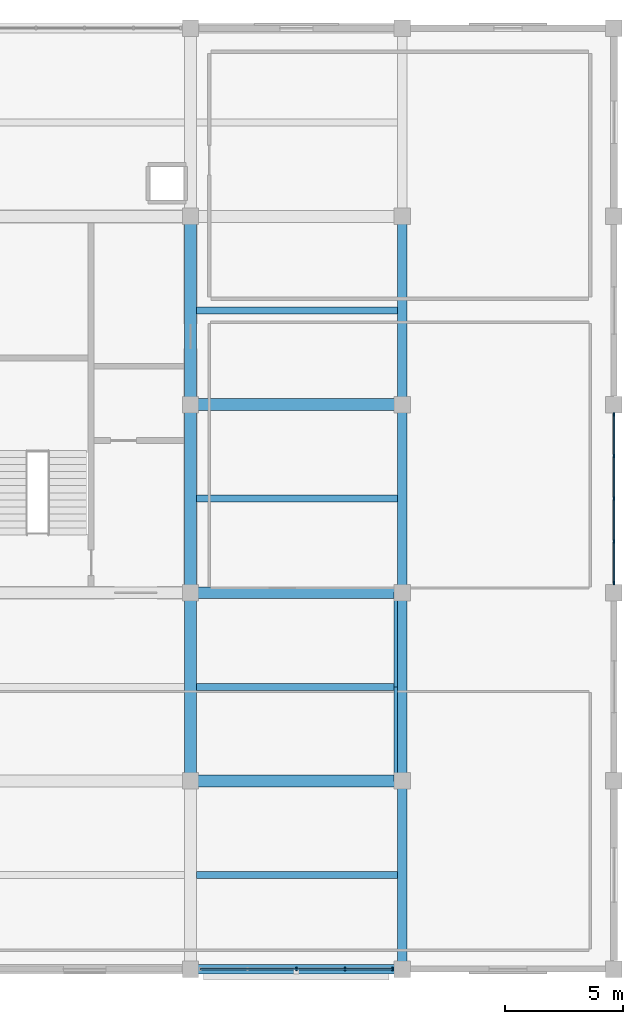
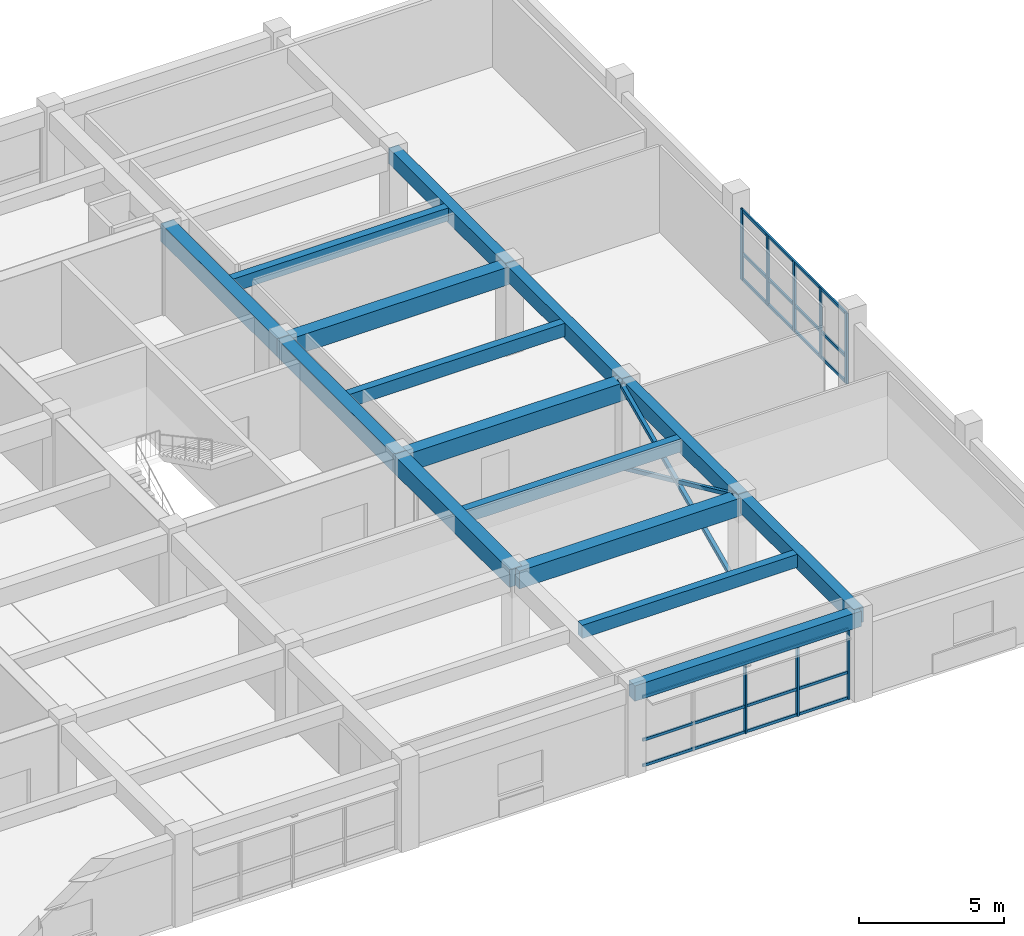
# One storey, part 6 of 13: 16 members, 15 beams, 2 elements without a shape of their own.
"""IFC4 building model written with IfcOpenShell, lengths in metres."""

from ifc_helpers import new_model, si_unit, direction, frame, origin, origin_2d, place, context, subcontext, project, spatial, rectangle, hollow_rectangle, extrude, material, material_profile, profile_set, type_object, element, aggregate, save


model = new_model("IFC4")

# Units and contexts
model_context = context("Model", 3, precision=1e-05, world=origin(), true_north=direction((0.0, 1.0)))
body_context = subcontext(model_context, "Body", "Model", "MODEL_VIEW")
ifc_project = project(units=[si_unit("LENGTHUNIT", "METRE"), si_unit("AREAUNIT", "SQUARE_METRE"), si_unit("VOLUMEUNIT", "CUBIC_METRE"), si_unit("PLANEANGLEUNIT", "RADIAN"), si_unit("MASSUNIT", "GRAM", prefix="KILO")], contexts=[model_context])

# Site, building, storey
site_placement = place(None, origin())
site = spatial("IfcSite", under=ifc_project, at=site_placement, CompositionType="ELEMENT")
building_placement = place(site_placement, origin())
building = spatial("IfcBuilding", under=site, at=building_placement, Name="Zaverband Oceanarium and Marine Research Institute", CompositionType="ELEMENT")
storey_placement = place(building_placement, frame((0.0, 0.0, 64.800048828125)))
storey = spatial("IfcBuildingStorey", under=building, at=storey_placement, Name="L16", CompositionType="ELEMENT", Elevation=64.800048828125)

# Beams
ifc_material_1 = material(Name="Concrete C40/50", Category="concrete")
ifc_material_profile_1 = material_profile(ifc_material_1, rectangle(XDim=0.5, YDim=0.75, at=origin_2d()), Name="RC500x750")
ifc_profile_set_1 = profile_set([ifc_material_profile_1], Name="Concrete C40/50")
beam_type_1 = type_object("IfcBeamType", Name="BM-500x750", PredefinedType="BEAM", material=ifc_profile_set_1)
for number, where, z_axis, x_axis, name in (
    (1, (45.0, 80.0, 3.27490234375), (1.0, 0.0, 0.0), (0.0, 1.0, 0.0), "Primary floor girder BM-500x750"),
    (2, (45.0, 88.0, 3.27490234375), (1.0, 0.0, 0.0), (0.0, 1.0, 0.0), "Primary floor girder BM-500x750"),
    (3, (45.0, 96.0, 3.27490234375), (1.0, 0.0, 0.0), (0.0, 1.0, 0.0), "Primary floor girder BM-500x750"),
):
    element("IfcBeam", number, at=place(storey_placement, frame(where, z_axis=z_axis, x_axis=x_axis)), inside=storey, type_object=beam_type_1, Name=name, PredefinedType="BEAM", context=body_context, shape_type="SweptSolid", body=[
        extrude(rectangle(XDim=0.5, YDim=0.75, at=origin_2d()), origin(), (0.0, 0.0, 1.0), 9.0),
    ])
for number, where, z_axis, x_axis, name in (
    (4, (45.0, 80.0, 3.27490234375), (0.0, 1.0, 0.0), (-1.0, 0.0, 0.0), "Primary floor girder BM-500x750"),
    (5, (45.0, 88.0, 3.27490234375), (0.0, 1.0, 0.0), (-1.0, 0.0, 0.0), "Primary floor girder BM-500x750"),
    (6, (45.0, 96.0, 3.27490234375), (0.0, 1.0, 0.0), (-1.0, 0.0, 0.0), "Primary floor girder BM-500x750"),
):
    element("IfcBeam", number, at=place(storey_placement, frame(where, z_axis=z_axis, x_axis=x_axis)), inside=storey, type_object=beam_type_1, Name=name, PredefinedType="BEAM", context=body_context, shape_type="SweptSolid", body=[
        extrude(rectangle(XDim=0.5, YDim=0.75, at=origin_2d()), origin(), (0.0, 0.0, 1.0), 8.0),
    ])

# Members
ifc_material_2 = material(Name="Steel S355", Category="steel")
ifc_material_profile_2 = material_profile(ifc_material_2, hollow_rectangle(XDim=0.14990234375, YDim=0.14990234375, WallThickness=0.008056640625, at=origin_2d()), Name="SHS150x150x8")
ifc_profile_set_2 = profile_set([ifc_material_profile_2], Name="Steel S355")
member_type_1 = type_object("IfcMemberType", Name="BR-04", PredefinedType="BRACE", material=ifc_profile_set_2)
for number, where, z_axis, x_axis, name in (
    (7, (53.719970703125, 80.0, 0.0), (0.0, 0.909785572369, 0.415078561612), (-1.0, 0.0, 0.0), "Diagonal lateral brace BR-04"),
    (8, (53.719970703125, 88.0, 0.0), (0.0, -0.909785572369, 0.415078561612), (1.0, 0.0, 0.0), "Diagonal lateral brace BR-04"),
):
    element("IfcMember", number, at=place(storey_placement, frame(where, z_axis=z_axis, x_axis=x_axis)), inside=storey, type_object=member_type_1, Name=name, PredefinedType="BRACE", context=body_context, shape_type="SweptSolid", body=[
        extrude(hollow_rectangle(XDim=0.14990234375, YDim=0.14990234375, WallThickness=0.008056640625, at=origin_2d()), origin(), (0.0, 0.0, 1.0), 8.793212890625),
    ])

# Beams
ifc_material_profile_3 = material_profile(ifc_material_1, rectangle(XDim=0.300048828125, YDim=0.550048828125, at=origin_2d()), Name="RC300x550")
ifc_profile_set_3 = profile_set([ifc_material_profile_3], Name="Concrete C40/50")
beam_type_2 = type_object("IfcBeamType", Name="JST-300x550", PredefinedType="JOIST", material=ifc_profile_set_3)
for number, where, z_axis, x_axis, name in (
    (9, (45.25, 76.0, 3.375), (1.0, 0.0, 0.0), (0.0, 1.0, 0.0), "Secondary floor joist JST-300x550"),
    (10, (45.25, 84.0, 3.375), (1.0, 0.0, 0.0), (0.0, 1.0, 0.0), "Secondary floor joist JST-300x550"),
    (11, (45.25, 92.0, 3.375), (1.0, 0.0, 0.0), (0.0, 1.0, 0.0), "Secondary floor joist JST-300x550"),
    (12, (45.25, 100.0, 3.375), (1.0, 0.0, 0.0), (0.0, 1.0, 0.0), "Secondary floor joist JST-300x550"),
):
    element("IfcBeam", number, at=place(storey_placement, frame(where, z_axis=z_axis, x_axis=x_axis)), inside=storey, type_object=beam_type_2, Name=name, PredefinedType="JOIST", context=body_context, shape_type="SweptSolid", body=[
        extrude(rectangle(XDim=0.300048828125, YDim=0.550048828125, at=origin_2d()), origin(), (0.0, 0.0, 1.0), 8.550048828125),
    ])

# Curtain wall, members
ifc_material_3 = material(Name="Thermally broken anodized aluminium and solar-control glass", Category="aluminium")
curtain_wall_type = type_object("IfcCurtainWallType", Name="CW-UNIT-1800", PredefinedType="NOTDEFINED", material=ifc_material_3)
curtain_wall_1_placement = place(storey_placement, origin())
curtain_wall_1 = element("IfcCurtainWall", 13, at=curtain_wall_1_placement, inside=storey, type_object=curtain_wall_type, Name="Unitised glazed curtain wall CW-167", PredefinedType="NOTDEFINED")
ifc_material_4 = material(Name="Thermally broken anodized aluminium", Category="aluminium")
ifc_material_profile_4 = material_profile(ifc_material_4, rectangle(XDim=0.070068359375, YDim=0.14990234375, at=origin_2d()), Name="AL-MUL-70x150")
ifc_profile_set_4 = profile_set([ifc_material_profile_4], Name="Thermally broken anodized aluminium")
member_type_2 = type_object("IfcMemberType", Name="MUL-70x150", PredefinedType="MULLION", material=ifc_profile_set_4)
member_1_placement = place(storey_placement, frame((49.5, 72.0, 0.0), z_axis=(0.0, 0.0, 1.0), x_axis=(1.0, 0.0, 0.0)))
member_1 = element("IfcMember", 14, at=member_1_placement, type_object=member_type_2, Name="Curtain wall vertical mullion MUL-70x150", PredefinedType="MULLION", context=body_context, shape_type="SweptSolid", body=[
    extrude(rectangle(XDim=0.070068359375, YDim=0.14990234375, at=origin_2d()), origin(), (0.0, 0.0, 1.0), 2.97998046875),
])
member_2_placement = place(storey_placement, frame((51.572509765625, 72.0, 0.0), z_axis=(0.0, 0.0, 1.0), x_axis=(1.0, 0.0, 0.0)))
member_2 = element("IfcMember", 15, at=member_2_placement, type_object=member_type_2, Name="Curtain wall vertical mullion MUL-70x150", PredefinedType="MULLION", context=body_context, shape_type="SweptSolid", body=[
    extrude(rectangle(XDim=0.070068359375, YDim=0.14990234375, at=origin_2d()), origin(), (0.0, 0.0, 1.0), 2.97998046875),
])
member_3_placement = place(storey_placement, frame((53.5849609375, 72.0, 0.0), z_axis=(0.0, 0.0, 1.0), x_axis=(1.0, 0.0, 0.0)))
member_3 = element("IfcMember", 16, at=member_3_placement, type_object=member_type_2, Name="Curtain wall vertical mullion MUL-70x150", PredefinedType="MULLION", context=body_context, shape_type="SweptSolid", body=[
    extrude(rectangle(XDim=0.070068359375, YDim=0.14990234375, at=origin_2d()), origin(), (0.0, 0.0, 1.0), 2.97998046875),
])

curtain_wall_2_placement = place(storey_placement, origin())
curtain_wall_2 = element("IfcCurtainWall", 17, at=curtain_wall_2_placement, inside=storey, type_object=curtain_wall_type, Name="Unitised glazed curtain wall CW-173", PredefinedType="NOTDEFINED")
member_4_placement = place(storey_placement, frame((63.0, 88.4150390625, 0.0), z_axis=(0.0, 0.0, 1.0), x_axis=(1.0, 0.0, 0.0)))
member_4 = element("IfcMember", 18, at=member_4_placement, type_object=member_type_2, Name="Curtain wall vertical mullion MUL-70x150", PredefinedType="MULLION", context=body_context, shape_type="SweptSolid", body=[
    extrude(rectangle(XDim=0.070068359375, YDim=0.14990234375, at=origin_2d()), origin(), (0.0, 0.0, 1.0), 2.97998046875),
])
member_5_placement = place(storey_placement, frame((63.0, 90.177490234375, 0.0), z_axis=(0.0, 0.0, 1.0), x_axis=(1.0, 0.0, 0.0)))
member_5 = element("IfcMember", 19, at=member_5_placement, type_object=member_type_2, Name="Curtain wall vertical mullion MUL-70x150", PredefinedType="MULLION", context=body_context, shape_type="SweptSolid", body=[
    extrude(rectangle(XDim=0.070068359375, YDim=0.14990234375, at=origin_2d()), origin(), (0.0, 0.0, 1.0), 2.97998046875),
])
member_6_placement = place(storey_placement, frame((63.0, 92.0, 0.0), z_axis=(0.0, 0.0, 1.0), x_axis=(1.0, 0.0, 0.0)))
member_6 = element("IfcMember", 20, at=member_6_placement, type_object=member_type_2, Name="Curtain wall vertical mullion MUL-70x150", PredefinedType="MULLION", context=body_context, shape_type="SweptSolid", body=[
    extrude(rectangle(XDim=0.070068359375, YDim=0.14990234375, at=origin_2d()), origin(), (0.0, 0.0, 1.0), 2.97998046875),
])
member_7_placement = place(storey_placement, frame((63.0, 93.822509765625, 0.0), z_axis=(0.0, 0.0, 1.0), x_axis=(1.0, 0.0, 0.0)))
member_7 = element("IfcMember", 21, at=member_7_placement, type_object=member_type_2, Name="Curtain wall vertical mullion MUL-70x150", PredefinedType="MULLION", context=body_context, shape_type="SweptSolid", body=[
    extrude(rectangle(XDim=0.070068359375, YDim=0.14990234375, at=origin_2d()), origin(), (0.0, 0.0, 1.0), 2.97998046875),
])
member_8_placement = place(storey_placement, frame((63.0, 95.5849609375, 0.0), z_axis=(0.0, 0.0, 1.0), x_axis=(1.0, 0.0, 0.0)))
member_8 = element("IfcMember", 22, at=member_8_placement, type_object=member_type_2, Name="Curtain wall vertical mullion MUL-70x150", PredefinedType="MULLION", context=body_context, shape_type="SweptSolid", body=[
    extrude(rectangle(XDim=0.070068359375, YDim=0.14990234375, at=origin_2d()), origin(), (0.0, 0.0, 1.0), 2.97998046875),
])

# Beams
ifc_material_profile_5 = material_profile(ifc_material_1, rectangle(XDim=0.39990234375, YDim=0.64990234375, at=origin_2d()), Name="RC400x650")
ifc_profile_set_5 = profile_set([ifc_material_profile_5], Name="Concrete C40/50")
beam_type_3 = type_object("IfcBeamType", Name="SPN-400x650", PredefinedType="SPANDREL", material=ifc_profile_set_5)
beam_placement = place(storey_placement, frame((45.0, 72.0, 3.324951171875), z_axis=(1.0, 0.0, 0.0), x_axis=(0.0, 1.0, 0.0)))
element("IfcBeam", 23, at=beam_placement, inside=storey, type_object=beam_type_3, Name="Perimeter spandrel beam SPN-400x650", PredefinedType="SPANDREL", context=body_context, shape_type="SweptSolid", body=[
    extrude(rectangle(XDim=0.39990234375, YDim=0.64990234375, at=origin_2d()), origin(), (0.0, 0.0, 1.0), 9.0),
])
for number, where, z_axis, x_axis, name in (
    (24, (54.0, 72.0, 3.324951171875), (0.0, 1.0, 0.0), (-1.0, 0.0, 0.0), "Perimeter spandrel beam SPN-400x650"),
    (25, (54.0, 80.0, 3.324951171875), (0.0, 1.0, 0.0), (-1.0, 0.0, 0.0), "Perimeter spandrel beam SPN-400x650"),
    (26, (54.0, 88.0, 3.324951171875), (0.0, 1.0, 0.0), (-1.0, 0.0, 0.0), "Perimeter spandrel beam SPN-400x650"),
    (27, (54.0, 96.0, 3.324951171875), (0.0, 1.0, 0.0), (-1.0, 0.0, 0.0), "Perimeter spandrel beam SPN-400x650"),
):
    element("IfcBeam", number, at=place(storey_placement, frame(where, z_axis=z_axis, x_axis=x_axis)), inside=storey, type_object=beam_type_3, Name=name, PredefinedType="SPANDREL", context=body_context, shape_type="SweptSolid", body=[
        extrude(rectangle(XDim=0.39990234375, YDim=0.64990234375, at=origin_2d()), origin(), (0.0, 0.0, 1.0), 8.0),
    ])

# Member
ifc_material_profile_6 = material_profile(ifc_material_4, rectangle(XDim=0.070068359375, YDim=0.114990234375, at=origin_2d()), Name="AL-TRN-70x115")
ifc_profile_set_6 = profile_set([ifc_material_profile_6], Name="Thermally broken anodized aluminium")
member_type_3 = type_object("IfcMemberType", Name="TRN-70x115", PredefinedType="USERDEFINED", material=ifc_profile_set_6)
member_9_placement = place(storey_placement, frame((45.4150390625, 72.0, 0.050048828125), z_axis=(1.0, 0.0, 0.0), x_axis=(0.0, 1.0, 0.0)))
member_9 = element("IfcMember", 28, at=member_9_placement, type_object=member_type_3, Name="Curtain wall horizontal transom TRN-70x115", ObjectType="TRANSOM", PredefinedType="USERDEFINED", context=body_context, shape_type="SweptSolid", body=[
    extrude(rectangle(XDim=0.070068359375, YDim=0.114990234375, at=origin_2d()), origin(), (0.0, 0.0, 1.0), 8.169921875),
])

member_10_placement = place(storey_placement, frame((45.4150390625, 72.0, 1.123046875), z_axis=(1.0, 0.0, 0.0), x_axis=(0.0, 1.0, 0.0)))
member_10 = element("IfcMember", 29, at=member_10_placement, type_object=member_type_3, Name="Curtain wall horizontal transom TRN-70x115", ObjectType="TRANSOM", PredefinedType="USERDEFINED", context=body_context, shape_type="SweptSolid", body=[
    extrude(rectangle(XDim=0.070068359375, YDim=0.114990234375, at=origin_2d()), origin(), (0.0, 0.0, 1.0), 8.169921875),
])

member_11_placement = place(storey_placement, frame((45.4150390625, 72.0, 2.929931640625), z_axis=(1.0, 0.0, 0.0), x_axis=(0.0, 1.0, 0.0)))
member_11 = element("IfcMember", 30, at=member_11_placement, type_object=member_type_3, Name="Curtain wall horizontal transom TRN-70x115", ObjectType="TRANSOM", PredefinedType="USERDEFINED", context=body_context, shape_type="SweptSolid", body=[
    extrude(rectangle(XDim=0.070068359375, YDim=0.114990234375, at=origin_2d()), origin(), (0.0, 0.0, 1.0), 8.169921875),
])

aggregate(curtain_wall_1, [member_1, member_2, member_3, member_9, member_10, member_11])

member_12_placement = place(storey_placement, frame((63.0, 88.4150390625, 0.050048828125), z_axis=(0.0, 1.0, 0.0), x_axis=(-1.0, 0.0, 0.0)))
member_12 = element("IfcMember", 31, at=member_12_placement, type_object=member_type_3, Name="Curtain wall horizontal transom TRN-70x115", ObjectType="TRANSOM", PredefinedType="USERDEFINED", context=body_context, shape_type="SweptSolid", body=[
    extrude(rectangle(XDim=0.070068359375, YDim=0.114990234375, at=origin_2d()), origin(), (0.0, 0.0, 1.0), 7.169921875),
])

member_13_placement = place(storey_placement, frame((63.0, 88.4150390625, 1.123046875), z_axis=(0.0, 1.0, 0.0), x_axis=(-1.0, 0.0, 0.0)))
member_13 = element("IfcMember", 32, at=member_13_placement, type_object=member_type_3, Name="Curtain wall horizontal transom TRN-70x115", ObjectType="TRANSOM", PredefinedType="USERDEFINED", context=body_context, shape_type="SweptSolid", body=[
    extrude(rectangle(XDim=0.070068359375, YDim=0.114990234375, at=origin_2d()), origin(), (0.0, 0.0, 1.0), 7.169921875),
])

member_14_placement = place(storey_placement, frame((63.0, 88.4150390625, 2.929931640625), z_axis=(0.0, 1.0, 0.0), x_axis=(-1.0, 0.0, 0.0)))
member_14 = element("IfcMember", 33, at=member_14_placement, type_object=member_type_3, Name="Curtain wall horizontal transom TRN-70x115", ObjectType="TRANSOM", PredefinedType="USERDEFINED", context=body_context, shape_type="SweptSolid", body=[
    extrude(rectangle(XDim=0.070068359375, YDim=0.114990234375, at=origin_2d()), origin(), (0.0, 0.0, 1.0), 7.169921875),
])

aggregate(curtain_wall_2, [member_4, member_5, member_6, member_7, member_8, member_12, member_13, member_14])

save(model, "model.ifc")
